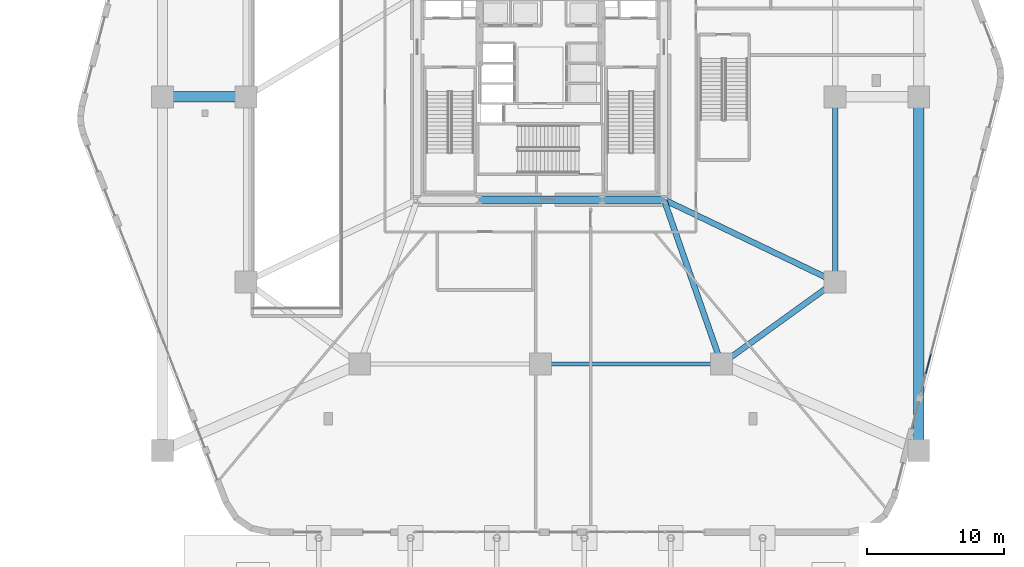
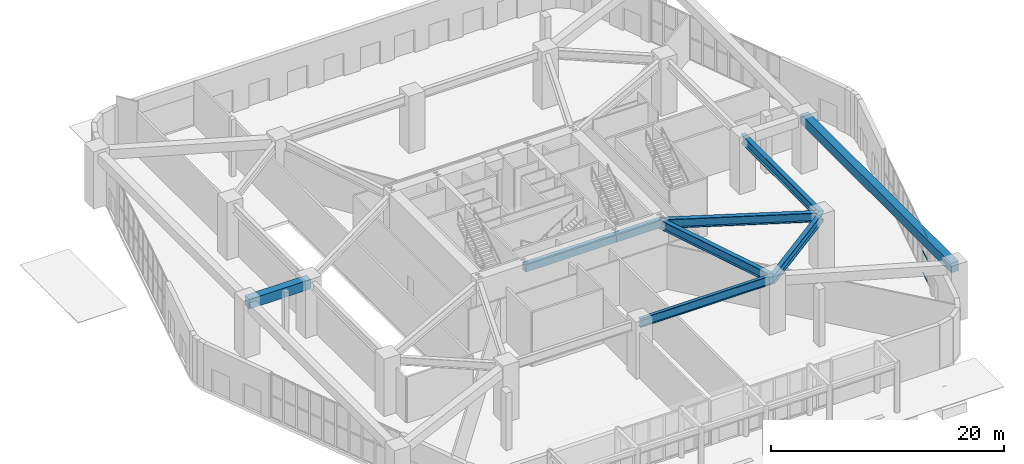
# One storey, part 12 of 35: 9 beams, 3 members, 1 element without a shape of its own.
"""IFC4 building model written with IfcOpenShell, lengths in metres."""

from ifc_helpers import new_model, si_unit, direction, frame, origin, origin_2d, place, context, subcontext, project, spatial, rectangle, hollow_rectangle, i_section, extrude, material, layer, layer_set, material_profile, profile_set, type_object, element, aggregate, save


model = new_model("IFC4")

# Units and contexts
model_context = context("Model", 3, precision=1e-05, world=origin(), true_north=direction((0.0, 1.0)))
body_context = subcontext(model_context, "Body", "Model", "MODEL_VIEW")
ifc_project = project(units=[si_unit("LENGTHUNIT", "METRE"), si_unit("AREAUNIT", "SQUARE_METRE"), si_unit("VOLUMEUNIT", "CUBIC_METRE"), si_unit("PLANEANGLEUNIT", "RADIAN"), si_unit("MASSUNIT", "GRAM", prefix="KILO")], contexts=[model_context])

# Site, building, storey
site_placement = place(None, origin())
site = spatial("IfcSite", under=ifc_project, at=site_placement, CompositionType="ELEMENT")
building_placement = place(site_placement, origin())
building = spatial("IfcBuilding", under=site, at=building_placement, Name="Kilnhurst Terrace Hotel", CompositionType="ELEMENT")
storey_placement = place(building_placement, origin())
storey = spatial("IfcBuildingStorey", under=building, at=storey_placement, Name="L00", CompositionType="ELEMENT", Elevation=0.0)

# Beams
ifc_material_1 = material(Name="Concrete C50/60", Category="concrete")
ifc_material_profile_1 = material_profile(ifc_material_1, rectangle(XDim=0.550048828125, YDim=0.75, at=origin_2d()), Name="RC550X750")
ifc_profile_set_1 = profile_set([ifc_material_profile_1], Name="Concrete C50/60")
beam_type_1 = type_object("IfcBeamType", Name="BM-SPN-550X750", PredefinedType="SPANDREL", material=ifc_profile_set_1)
beam_1_placement = place(storey_placement, frame((-4.5, -7.5, 5.304931640625), z_axis=(1.0, 0.0, 0.0), x_axis=(0.0, 1.0, 0.0)))
element("IfcBeam", 1, at=beam_1_placement, inside=storey, type_object=beam_type_1, Name="L00 Core Tie Beam CC-SC1 to CC-SC2", PredefinedType="SPANDREL", context=body_context, shape_type="SweptSolid", body=[
    extrude(rectangle(XDim=0.550048828125, YDim=0.75, at=origin_2d()), origin(), (0.0, 0.0, 1.0), 9.0),
])
beam_2_placement = place(storey_placement, frame((4.5, -7.5, 5.304931640625), z_axis=(1.0, 0.0, 0.0), x_axis=(0.0, 1.0, 0.0)))
element("IfcBeam", 2, at=beam_2_placement, inside=storey, type_object=beam_type_1, Name="L00 Core Tie Beam CC-SC2 to CC-SE", PredefinedType="SPANDREL", context=body_context, shape_type="SweptSolid", body=[
    extrude(rectangle(XDim=0.550048828125, YDim=0.75, at=origin_2d()), origin(), (0.0, 0.0, 1.0), 4.5),
])
ifc_material_2 = material(Name="Steel ASTM A992 Grade 50", Category="steel")
ifc_material_profile_2 = material_profile(ifc_material_2, i_section(OverallWidth=0.307861328125, OverallDepth=0.94287109375, WebThickness=0.022216796875, FlangeThickness=0.039794921875, at=origin_2d()), Name="W36X232")
ifc_profile_set_2 = profile_set([ifc_material_profile_2], Name="Steel ASTM A992 Grade 50")
beam_type_2 = type_object("IfcBeamType", Name="BM-STL-W36X232", PredefinedType="BEAM", material=ifc_profile_set_2)
beam_3_placement = place(storey_placement, frame((0.0, -19.5, 5.2099609375), z_axis=(1.0, 0.0, 0.0), x_axis=(0.0, 1.0, 0.0)))
element("IfcBeam", 3, at=beam_3_placement, inside=storey, type_object=beam_type_2, Name="L00 Sub-Ballroom Girder 2", PredefinedType="BEAM", context=body_context, shape_type="SweptSolid", body=[
    extrude(i_section(OverallWidth=0.307861328125, OverallDepth=0.94287109375, WebThickness=0.022216796875, FlangeThickness=0.039794921875, at=origin_2d()), origin(), (0.0, 0.0, 1.0), 13.199951171875),
])
ifc_material_profile_3 = material_profile(ifc_material_2, i_section(OverallWidth=0.423095703125, OverallDepth=0.9482421875, WebThickness=0.02392578125, FlangeThickness=0.042724609375, at=origin_2d()), Name="W36X302")
ifc_profile_set_3 = profile_set([ifc_material_profile_3], Name="Steel ASTM A992 Grade 50")
beam_type_3 = type_object("IfcBeamType", Name="BM-STL-W36X302", PredefinedType="BEAM", material=ifc_profile_set_3)
beam_4_placement = place(storey_placement, frame((21.5, 0.0, 5.2060546875), z_axis=(0.0, -1.0, 0.0), x_axis=(1.0, 0.0, 0.0)))
element("IfcBeam", 4, at=beam_4_placement, inside=storey, type_object=beam_type_3, Name="L00 Podium Frame Beam 8", PredefinedType="BEAM", context=body_context, shape_type="SweptSolid", body=[
    extrude(i_section(OverallWidth=0.423095703125, OverallDepth=0.9482421875, WebThickness=0.02392578125, FlangeThickness=0.042724609375, at=origin_2d()), origin(), (0.0, 0.0, 1.0), 13.5),
])
beam_5_placement = place(storey_placement, frame((21.5, -13.5, 5.2060546875), z_axis=(-0.901523057468, 0.432731067585, 0.0), x_axis=(-0.432731067585, -0.901523057468, 0.0)))
element("IfcBeam", 5, at=beam_5_placement, inside=storey, type_object=beam_type_3, Name="L00 Podium Frame Beam 12", PredefinedType="BEAM", context=body_context, shape_type="SweptSolid", body=[
    extrude(i_section(OverallWidth=0.423095703125, OverallDepth=0.9482421875, WebThickness=0.02392578125, FlangeThickness=0.042724609375, at=origin_2d()), origin(), (0.0, 0.0, 1.0), 13.865478515625),
])
beam_6_placement = place(storey_placement, frame((13.199951171875, -19.5, 5.2060546875), z_axis=(-0.330347003279, 0.943859553866, 0.0), x_axis=(-0.943859553866, -0.330347003279, 0.0)))
element("IfcBeam", 6, at=beam_6_placement, inside=storey, type_object=beam_type_3, Name="L00 Podium Frame Beam 16", PredefinedType="BEAM", context=body_context, shape_type="SweptSolid", body=[
    extrude(i_section(OverallWidth=0.423095703125, OverallDepth=0.9482421875, WebThickness=0.02392578125, FlangeThickness=0.042724609375, at=origin_2d()), origin(), (0.0, 0.0, 1.0), 12.7138671875),
])
beam_7_placement = place(storey_placement, frame((21.5, -13.5, 5.2060546875), z_axis=(-0.810423314702, -0.585844732833, 0.0), x_axis=(0.585844732833, -0.810423314702, 0.0)))
element("IfcBeam", 7, at=beam_7_placement, inside=storey, type_object=beam_type_3, Name="L00 Podium Frame Beam 18", PredefinedType="BEAM", context=body_context, shape_type="SweptSolid", body=[
    extrude(i_section(OverallWidth=0.423095703125, OverallDepth=0.9482421875, WebThickness=0.02392578125, FlangeThickness=0.042724609375, at=origin_2d()), origin(), (0.0, 0.0, 1.0), 10.24169921875),
])

# Curtain wall, members
ifc_material_3 = material(Name="Anodized Aluminium Alloy 6063-T6 and Low-E Glass", Category="aluminium")
ifc_layer = layer(ifc_material_3, 0.219970703125, Name="Anodized Aluminium Alloy 6063-T6 and Low-E Glass")
ifc_layer_set = layer_set([ifc_layer], Name="Anodized Aluminium Alloy 6063-T6 and Low-E Glass")
curtain_wall_type = type_object("IfcCurtainWallType", Name="CW-POD-LOBBY", PredefinedType="NOTDEFINED", material=ifc_layer_set)
curtain_wall_placement = place(storey_placement, origin())
curtain_wall = element("IfcCurtainWall", 8, at=curtain_wall_placement, inside=storey, type_object=curtain_wall_type, Name="L00 Curtain Wall CW-L00-F2-1", PredefinedType="NOTDEFINED")
ifc_material_4 = material(Name="Extruded Aluminium Alloy 6063-T6", Category="aluminium")
ifc_material_profile_4 = material_profile(ifc_material_4, hollow_rectangle(XDim=0.074951171875, YDim=0.14990234375, WallThickness=0.00390625, at=origin_2d()), Name="CWT75X150")
ifc_profile_set_4 = profile_set([ifc_material_profile_4], Name="Extruded Aluminium Alloy 6063-T6")
member_type = type_object("IfcMemberType", Name="MEM-CWT75X150", PredefinedType="USERDEFINED", material=ifc_profile_set_4)
member_1_placement = place(storey_placement, frame((28.1259765625, -20.208740234375, 0.03759765625), z_axis=(0.24871132416, 0.968577656791, 0.0), x_axis=(-0.968577656791, 0.24871132416, 0.0)))
member_1 = element("IfcMember", 9, at=member_1_placement, type_object=member_type, Name="CWL-1 transom 2.1", ObjectType="TRANSOM", PredefinedType="USERDEFINED", context=body_context, shape_type="SweptSolid", body=[
    extrude(hollow_rectangle(XDim=0.074951171875, YDim=0.14990234375, WallThickness=0.00390625, at=origin_2d()), origin(), (0.0, 0.0, 1.0), 1.468505859375),
])
member_2_placement = place(storey_placement, frame((28.1259765625, -20.208740234375, 2.324951171875), z_axis=(0.24871132416, 0.968577656791, 0.0), x_axis=(-0.968577656791, 0.24871132416, 0.0)))
member_2 = element("IfcMember", 10, at=member_2_placement, type_object=member_type, Name="CWL-1 transom 2.2", ObjectType="TRANSOM", PredefinedType="USERDEFINED", context=body_context, shape_type="SweptSolid", body=[
    extrude(hollow_rectangle(XDim=0.074951171875, YDim=0.14990234375, WallThickness=0.00390625, at=origin_2d()), origin(), (0.0, 0.0, 1.0), 1.468505859375),
])
member_3_placement = place(storey_placement, frame((28.1259765625, -20.208740234375, 4.612548828125), z_axis=(0.24871132416, 0.968577656791, 0.0), x_axis=(-0.968577656791, 0.24871132416, 0.0)))
member_3 = element("IfcMember", 11, at=member_3_placement, type_object=member_type, Name="CWL-1 transom 2.3", ObjectType="TRANSOM", PredefinedType="USERDEFINED", context=body_context, shape_type="SweptSolid", body=[
    extrude(hollow_rectangle(XDim=0.074951171875, YDim=0.14990234375, WallThickness=0.00390625, at=origin_2d()), origin(), (0.0, 0.0, 1.0), 1.468505859375),
])
aggregate(curtain_wall, [member_1, member_2, member_3])

# Beams
ifc_material_profile_5 = material_profile(ifc_material_1, rectangle(XDim=0.75, YDim=1.0, at=origin_2d()), Name="RC750X1000")
ifc_profile_set_5 = profile_set([ifc_material_profile_5], Name="Concrete C50/60")
beam_type_4 = type_object("IfcBeamType", Name="TBM-GAR-750X1000", PredefinedType="T_BEAM", material=ifc_profile_set_5)
beam_8_placement = place(storey_placement, frame((27.60009765625, -25.800048828125, 5.179931640625), z_axis=(0.0, 1.0, 0.0), x_axis=(-1.0, 0.0, 0.0)))
element("IfcBeam", 12, at=beam_8_placement, inside=storey, type_object=beam_type_4, Name="L00 Outer Ring Tee Beam 4", PredefinedType="T_BEAM", context=body_context, shape_type="SweptSolid", body=[
    extrude(rectangle(XDim=0.75, YDim=1.0, at=origin_2d()), origin(), (0.0, 0.0, 1.0), 25.800048828125),
])
beam_9_placement = place(storey_placement, frame((-27.60009765625, 0.0, 5.179931640625), z_axis=(1.0, 0.0, 0.0), x_axis=(0.0, 1.0, 0.0)))
element("IfcBeam", 13, at=beam_9_placement, inside=storey, type_object=beam_type_4, Name="L00 Outer Ring Tee Beam 7", PredefinedType="T_BEAM", context=body_context, shape_type="SweptSolid", body=[
    extrude(rectangle(XDim=0.75, YDim=1.0, at=origin_2d()), origin(), (0.0, 0.0, 1.0), 6.10009765625),
])

save(model, "model.ifc")
